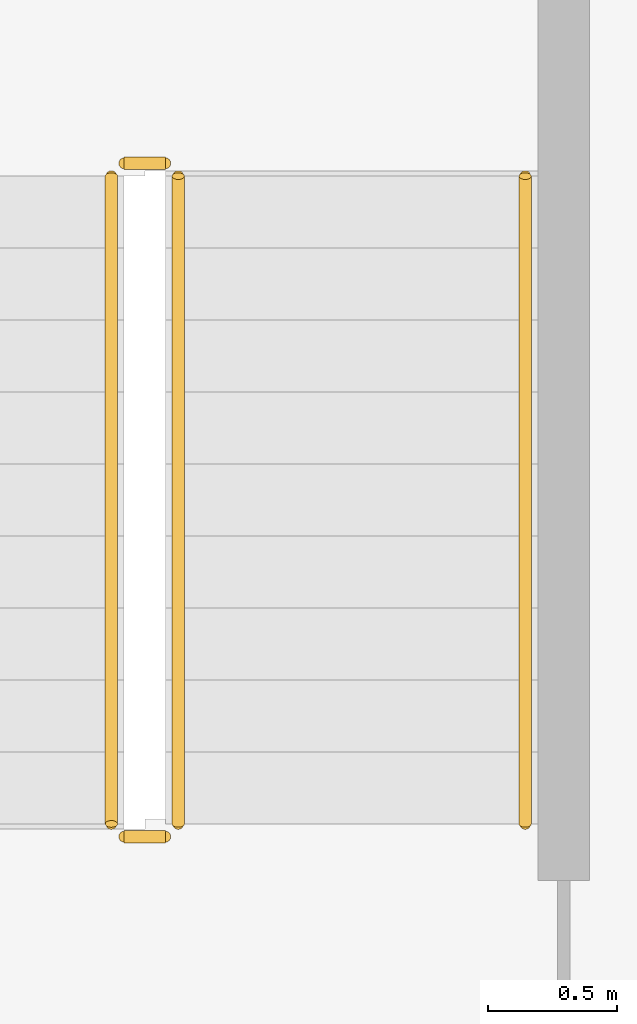
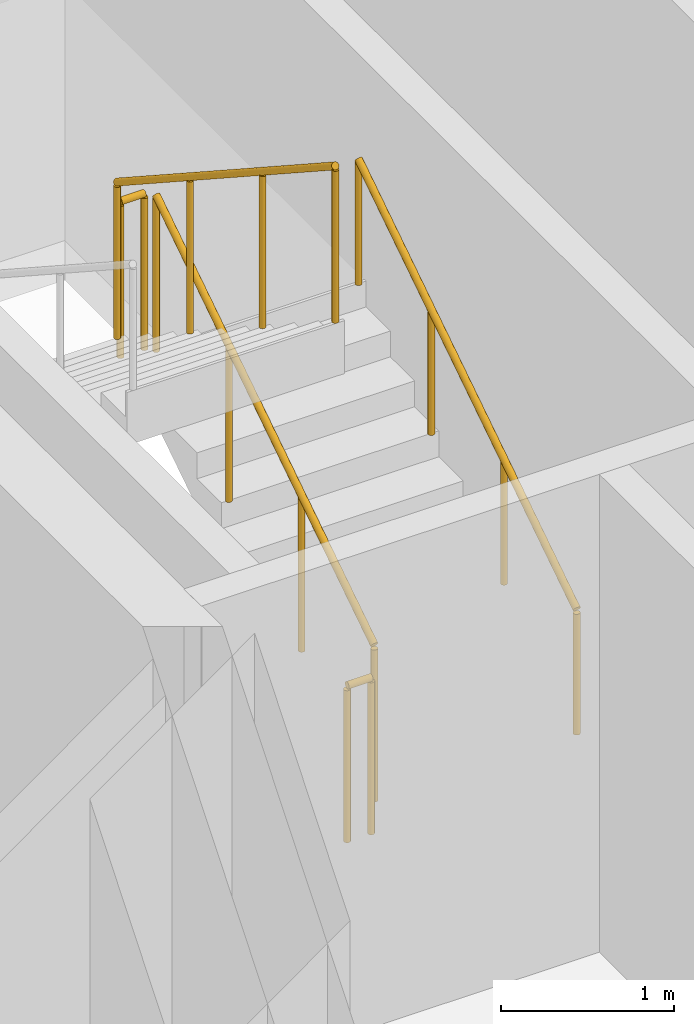
# One storey, part 12 of 14: 5 railings.
"""IFC4 building model written with IfcOpenShell, lengths in metres."""

from ifc_helpers import new_model, si_unit, direction, frame, origin, origin_2d, place, context, subcontext, project, spatial, circle, extrude, material, type_object, element, save


model = new_model("IFC4")

# Units and contexts
model_context = context("Model", 3, precision=1e-05, world=origin(), true_north=direction((0.0, 1.0)))
body_context = subcontext(model_context, "Body", "Model", "MODEL_VIEW")
ifc_project = project(units=[si_unit("LENGTHUNIT", "METRE"), si_unit("AREAUNIT", "SQUARE_METRE"), si_unit("VOLUMEUNIT", "CUBIC_METRE"), si_unit("PLANEANGLEUNIT", "RADIAN"), si_unit("MASSUNIT", "GRAM", prefix="KILO")], contexts=[model_context])

# Site, building, storey
site_placement = place(None, origin())
site = spatial("IfcSite", under=ifc_project, at=site_placement, CompositionType="ELEMENT")
building_placement = place(site_placement, origin())
building = spatial("IfcBuilding", under=site, at=building_placement, Name="Nuvemarco Arch Tower", CompositionType="ELEMENT")
storey_placement = place(building_placement, frame((0.0, 0.0, 98.300048828125)))
storey = spatial("IfcBuildingStorey", under=building, at=storey_placement, Name="L25", CompositionType="ELEMENT", Elevation=98.300048828125)

# Railings
ifc_material_1 = material(Name="Brushed stainless steel handrail", Category="steel")
railing_type_1 = type_object("IfcRailingType", Name="RL-HANDRAIL-900", PredefinedType="HANDRAIL", material=ifc_material_1)
railing_1_placement = place(storey_placement, frame((-13.590087890625, 2.64990234375, 0.182373046875)))
element("IfcRailing", 1, at=railing_1_placement, inside=storey, type_object=railing_type_1, Name="L25 ST-1 stair handrail 1", PredefinedType="HANDRAIL", context=body_context, shape_type="SweptSolid", body=[
    extrude(circle(Radius=0.02392578125, at=origin_2d()), frame((0.0, 0.0, 0.8759765625), z_axis=(0.0, 0.837749427056, 0.546054848405), x_axis=(-1.0, 0.0, 0.0)), (0.0, 0.0, 1.0), 3.008056640625),
    extrude(circle(Radius=0.02099609375, at=origin_2d()), origin(), (0.0, 0.0, 1.0), 0.851806640625),
    extrude(circle(Radius=0.02099609375, at=origin_2d()), frame((0.0, 0.840087890625, 0.547607421875)), (0.0, 0.0, 1.0), 0.851806640625),
    extrude(circle(Radius=0.02099609375, at=origin_2d()), frame((0.0, 1.679931640625, 1.094970703125)), (0.0, 0.0, 1.0), 0.851806640625),
    extrude(circle(Radius=0.02099609375, at=origin_2d()), frame((0.0, 2.52001953125, 1.642578125)), (0.0, 0.0, 1.0), 0.851806640625),
])
ifc_material_2 = material(Name="Painted balustrade steel S355", Category="steel")
railing_type_2 = type_object("IfcRailingType", Name="RL-STAIR-GUARD", PredefinedType="GUARDRAIL", material=ifc_material_2)
railing_2_placement = place(storey_placement, frame((-14.93994140625, 2.64990234375, 0.182373046875)))
element("IfcRailing", 2, at=railing_2_placement, inside=storey, type_object=railing_type_2, Name="L25 ST-1 stair guard 1", PredefinedType="GUARDRAIL", context=body_context, shape_type="SweptSolid", body=[
    extrude(circle(Radius=0.02392578125, at=origin_2d()), frame((0.0, 0.0, 1.09619140625), z_axis=(0.0, 0.837749427056, 0.546054848405), x_axis=(-1.0, 0.0, 0.0)), (0.0, 0.0, 1.0), 3.008056640625),
    extrude(circle(Radius=0.02099609375, at=origin_2d()), origin(), (0.0, 0.0, 1.0), 1.072021484375),
    extrude(circle(Radius=0.02099609375, at=origin_2d()), frame((0.0, 0.840087890625, 0.547607421875)), (0.0, 0.0, 1.0), 1.072021484375),
    extrude(circle(Radius=0.02099609375, at=origin_2d()), frame((0.0, 1.679931640625, 1.094970703125)), (0.0, 0.0, 1.0), 1.072021484375),
    extrude(circle(Radius=0.02099609375, at=origin_2d()), frame((0.0, 2.52001953125, 1.642578125)), (0.0, 0.0, 1.0), 1.072021484375),
])
railing_3_placement = place(storey_placement, frame((-14.989990234375, 5.219970703125, 1.824951171875)))
element("IfcRailing", 3, at=railing_3_placement, inside=storey, type_object=railing_type_2, Name="L25 ST-1 stair guard 2", PredefinedType="GUARDRAIL", context=body_context, shape_type="SweptSolid", body=[
    extrude(circle(Radius=0.02392578125, at=origin_2d()), frame((0.0, 0.0, 1.09619140625), z_axis=(-1.0, 0.0, 0.0), x_axis=(0.0, -1.0, 0.0)), (0.0, 0.0, 1.0), 0.159912109375),
    extrude(circle(Radius=0.02099609375, at=origin_2d()), origin(), (0.0, 0.0, 1.0), 1.072021484375),
    extrude(circle(Radius=0.02099609375, at=origin_2d()), frame((-0.159912109375, 0.0, 0.0)), (0.0, 0.0, 1.0), 1.072021484375),
])
railing_4_placement = place(storey_placement, frame((-15.199951171875, 5.169921875, 2.007568359375)))
element("IfcRailing", 4, at=railing_4_placement, inside=storey, type_object=railing_type_2, Name="L25 ST-1 stair guard 3", PredefinedType="GUARDRAIL", context=body_context, shape_type="SweptSolid", body=[
    extrude(circle(Radius=0.02392578125, at=origin_2d()), frame((0.0, 0.0, 1.09619140625), z_axis=(0.0, -0.837786554691, 0.545997883492), x_axis=(1.0, 0.0, 0.0)), (0.0, 0.0, 1.0), 3.008056640625),
    extrude(circle(Radius=0.02099609375, at=origin_2d()), origin(), (0.0, 0.0, 1.0), 1.072021484375),
    extrude(circle(Radius=0.02099609375, at=origin_2d()), frame((0.0, -0.840087890625, 0.54736328125)), (0.0, 0.0, 1.0), 1.072021484375),
    extrude(circle(Radius=0.02099609375, at=origin_2d()), frame((0.0, -1.679931640625, 1.094970703125)), (0.0, 0.0, 1.0), 1.072021484375),
    extrude(circle(Radius=0.02099609375, at=origin_2d()), frame((0.0, -2.52001953125, 1.642333984375)), (0.0, 0.0, 1.0), 1.072021484375),
])
railing_5_placement = place(storey_placement, frame((-14.989990234375, 2.60009765625, 0.0)))
element("IfcRailing", 5, at=railing_5_placement, inside=storey, type_object=railing_type_2, Name="L25 ST-1 stair guard 4", PredefinedType="GUARDRAIL", context=body_context, shape_type="SweptSolid", body=[
    extrude(circle(Radius=0.02392578125, at=origin_2d()), frame((0.0, 0.0, 1.09619140625), z_axis=(-1.0, 0.0, 0.0), x_axis=(0.0, -1.0, 0.0)), (0.0, 0.0, 1.0), 0.159912109375),
    extrude(circle(Radius=0.02099609375, at=origin_2d()), origin(), (0.0, 0.0, 1.0), 1.072021484375),
    extrude(circle(Radius=0.02099609375, at=origin_2d()), frame((-0.159912109375, 0.0, 0.0)), (0.0, 0.0, 1.0), 1.072021484375),
])

save(model, "model.ifc")
